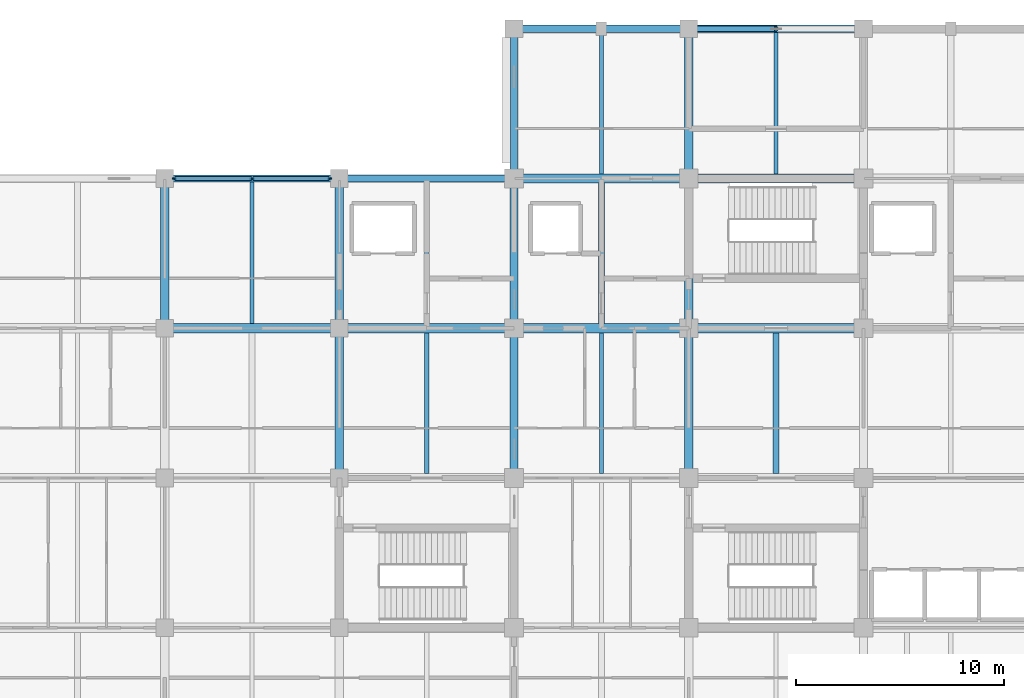
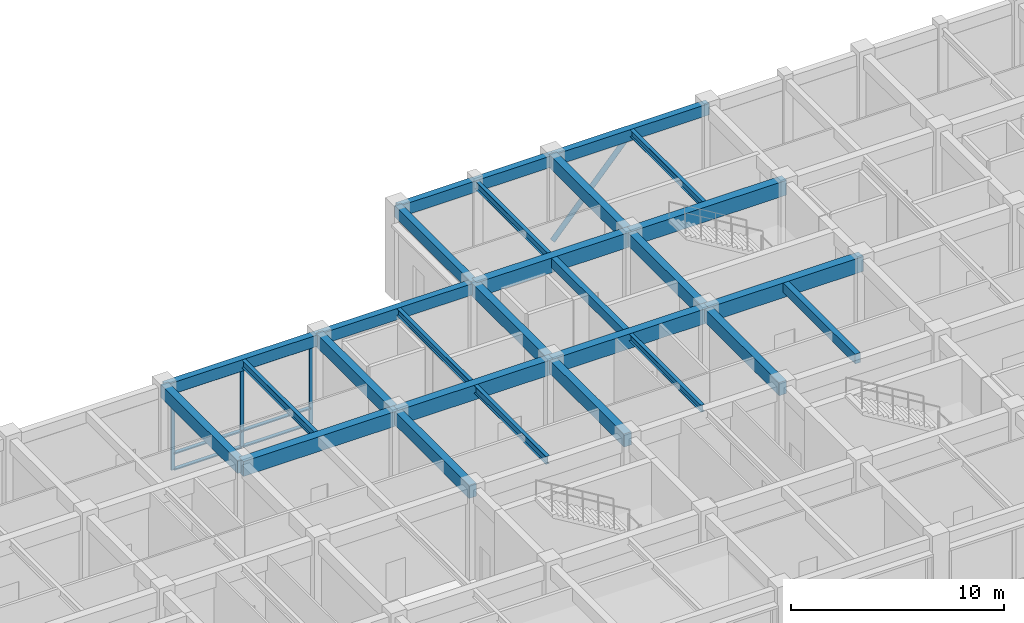
# One storey, part 6 of 51: 27 beams, 10 members, 1 element without a shape of its own.
"""IFC4 building model written with IfcOpenShell, lengths in metres."""

import ifcopenshell
import ifcopenshell.guid

model = None  # the IFC model being written
_history = None  # IfcOwnerHistory: only IFC2X3 demands one
_inside = {}  # id of a spatial element -> (the spatial element, [elements in it])
_under = {}  # id of a project, library or spatial element -> (it, [spatial elements below it])
_declared = {}  # id of a project -> (the project, [libraries it declares])
_typed = {}  # id of a type object -> (the type object, [elements of that type])
_made_of = {}  # id of a material, layer set ... -> (it, [elements and type objects made of it])


def new_model(schema):
    """Start an empty IFC model of exactly this schema.

    Asked for "IFC4X3", IfcOpenShell would pick the latest addendum, in which some entities
    have other attributes; the version numbers below select the first issue.
    IFC2X3 requires an IfcOwnerHistory on every rooted entity: one is made here for all.
    """
    global model, _history
    if schema == "IFC4X3":
        model = ifcopenshell.file(schema_version=(4, 3, 0, 0))
    else:
        model = ifcopenshell.file(schema=schema)
    _inside.clear()
    _under.clear()
    _declared.clear()
    _typed.clear()
    _made_of.clear()
    _history = None
    if model.schema == "IFC2X3":
        org = make("IfcOrganization", Name="unknown")
        user = make(
            "IfcPersonAndOrganization",
            ThePerson=make("IfcPerson", FamilyName="unknown"),
            TheOrganization=org,
        )
        app = make(
            "IfcApplication",
            ApplicationDeveloper=org,
            Version="unknown",
            ApplicationFullName="unknown",
            ApplicationIdentifier="unknown",
        )
        _history = make(
            "IfcOwnerHistory",
            OwningUser=user,
            OwningApplication=app,
            ChangeAction="ADDED",
            CreationDate=0,
        )
    return model


def make(cls, **values):
    """One entity of the class cls with the attributes given. An attribute that is None is left unset."""
    return model.create_entity(
        cls, **{name: value for name, value in values.items() if value is not None}
    )


def rooted(cls, **values):
    """An entity with a GlobalId (a new one), such as an element, a storey or a relation."""
    return make(cls, GlobalId=ifcopenshell.guid.new(), OwnerHistory=_history, **values)


def si_unit(unit_type, name, prefix=None):
    """IfcSIUnit, for example si_unit("LENGTHUNIT", "METRE", prefix="MILLI")."""
    return make("IfcSIUnit", UnitType=unit_type, Prefix=prefix, Name=name)


def assignment(units):
    """IfcUnitAssignment: the units of a project."""
    return None if units is None else make("IfcUnitAssignment", Units=units)


def point(xyz):
    """IfcCartesianPoint."""
    return None if xyz is None else make("IfcCartesianPoint", Coordinates=xyz)


def direction(xyz):
    """IfcDirection."""
    return None if xyz is None else make("IfcDirection", DirectionRatios=xyz)


def frame(location, z_axis=None, x_axis=None):
    """IfcAxis2Placement3D, a coordinate frame: its origin and axes. An axis left out is left unset."""
    return make(
        "IfcAxis2Placement3D",
        Location=point(location),
        Axis=direction(z_axis),
        RefDirection=direction(x_axis),
    )


def frame_2d(location, x_axis=None):
    """IfcAxis2Placement2D, a coordinate frame in the plane: its origin and x axis."""
    return make(
        "IfcAxis2Placement2D", Location=point(location), RefDirection=direction(x_axis)
    )


def origin():
    """The frame at (0, 0, 0) with its axes left unset."""
    return frame((0.0, 0.0, 0.0))


def origin_2d():
    """The frame at (0, 0) in the plane with its x axis left unset."""
    return frame_2d((0.0, 0.0))


def place(relative_to, where):
    """IfcLocalPlacement: puts the frame where relative to a parent placement (None: the world)."""
    return make(
        "IfcLocalPlacement", PlacementRelTo=relative_to, RelativePlacement=where
    )


def context(
    kind, dimensions, precision=None, world=None, true_north=None, identifier=None
):
    """IfcGeometricRepresentationContext, for example the 3D "Model" context."""
    return make(
        "IfcGeometricRepresentationContext",
        ContextIdentifier=identifier,
        ContextType=kind,
        CoordinateSpaceDimension=dimensions,
        Precision=precision,
        WorldCoordinateSystem=world,
        TrueNorth=true_north,
    )


def subcontext(parent, identifier, kind, view, scale=None):
    """IfcGeometricRepresentationSubContext, for example "Body" below "Model"."""
    return make(
        "IfcGeometricRepresentationSubContext",
        ContextIdentifier=identifier,
        ContextType=kind,
        ParentContext=parent,
        TargetScale=scale,
        TargetView=view,
    )


def project(units=None, contexts=None):
    """IfcProject with its units and contexts."""
    return rooted(
        "IfcProject",
        Name="project",
        RepresentationContexts=contexts,
        UnitsInContext=assignment(units),
    )


def spatial(cls, under=None, at=None, **own):
    """A site, building, storey or space (cls), placed at a placement, below another one or the project."""
    s = rooted(cls, ObjectPlacement=at, **own)
    if under is not None:
        _under.setdefault(under.id(), (under, []))[1].append(s)
    return s


def profile(cls, at=None, kind="AREA", **sizes):
    """A parametric profile (cls). Its sizes go by their IFC names, for example OverallWidth=200.0."""
    return make(cls, ProfileType=kind, Position=at, **sizes)


def rectangle(**sizes):
    """IfcRectangleProfileDef."""
    return profile("IfcRectangleProfileDef", **sizes)


def hollow_circle(**sizes):
    """IfcCircleHollowProfileDef."""
    return profile("IfcCircleHollowProfileDef", **sizes)


def i_section(**sizes):
    """IfcIShapeProfileDef."""
    return profile("IfcIShapeProfileDef", **sizes)


def extrude(swept, where, along, depth):
    """IfcExtrudedAreaSolid: the profile swept, set in the frame where, extruded along a direction by depth."""
    return make(
        "IfcExtrudedAreaSolid",
        SweptArea=swept,
        Position=where,
        ExtrudedDirection=direction(along),
        Depth=depth,
    )


def shape(context_of_items, identifier, shape_type, items):
    """IfcShapeRepresentation: the items that make up one representation, for example the "Body"."""
    return make(
        "IfcShapeRepresentation",
        ContextOfItems=context_of_items,
        RepresentationIdentifier=identifier,
        RepresentationType=shape_type,
        Items=items,
    )


def material(Name=None, Category=None):
    """IfcMaterial."""
    return make("IfcMaterial", Name=Name, Category=Category)


def layer(
    of_material, thickness, ventilated=None, Name=None, Category=None, Priority=None
):
    """IfcMaterialLayer: one layer of a wall or slab, of a material (None: an air gap)."""
    return make(
        "IfcMaterialLayer",
        Material=of_material,
        LayerThickness=thickness,
        IsVentilated=ventilated,
        Name=Name,
        Category=Category,
        Priority=Priority,
    )


def layer_set(layers, Name=None):
    """IfcMaterialLayerSet."""
    return make("IfcMaterialLayerSet", MaterialLayers=layers, LayerSetName=Name)


def material_profile(
    of_material, cross_section, Name=None, Category=None, Priority=None
):
    """IfcMaterialProfile: a cross section and its material."""
    return make(
        "IfcMaterialProfile",
        Name=Name,
        Material=of_material,
        Profile=cross_section,
        Priority=Priority,
        Category=Category,
    )


def profile_set(profiles, Name=None, composite=None):
    """IfcMaterialProfileSet."""
    return make(
        "IfcMaterialProfileSet",
        Name=Name,
        MaterialProfiles=profiles,
        CompositeProfile=composite,
    )


def made_of(thing, what):
    """Note that an element or type object is made of a material, layer set ...; save() writes the relation."""
    if what is not None:
        _made_of.setdefault(what.id(), (what, []))[1].append(thing)
    return thing


def type_object(cls, material=None, **own):
    """A type object (cls), such as IfcWallType, which elements share."""
    return made_of(rooted(cls, **own), material)


def element(
    cls,
    number,
    at=None,
    inside=None,
    cuts=None,
    type_object=None,
    material=None,
    context=None,
    identifier="Body",
    shape_type=None,
    held_by="IfcProductDefinitionShape",
    body=None,
    shapes=None,
    **own,
):
    """One element of the class cls, such as IfcWall. Its Tag is "e" and its number.

    at: its placement. inside: the storey or other place that contains it. cuts: it is an
    opening in that element (IfcRelVoidsElement). A single representation is given by context,
    identifier, shape_type and body (its items); several are given by shapes. held_by: the class
    of the entity that holds the representations. save() writes the other relations.
    """
    e = rooted(cls, Tag="e%d" % number, ObjectPlacement=at, **own)
    if body is not None:
        shapes = [shape(context, identifier, shape_type, body)]
    if shapes is not None:
        e.Representation = make(held_by, Representations=shapes)
    if inside is not None:
        _inside.setdefault(inside.id(), (inside, []))[1].append(e)
    if cuts is not None:
        rooted(
            "IfcRelVoidsElement", RelatingBuildingElement=cuts, RelatedOpeningElement=e
        )
    if type_object is not None:
        _typed.setdefault(type_object.id(), (type_object, []))[1].append(e)
    return made_of(e, material)


def aggregate(whole, parts):
    """IfcRelAggregates: a whole, such as a stair, and the parts it consists of."""
    return rooted("IfcRelAggregates", RelatingObject=whole, RelatedObjects=parts)


def save(model, path):
    """Write the relations noted so far, then the file.

    IfcRelAggregates (storeys below a building ...), IfcRelContainedInSpatialStructure (elements
    in a storey), IfcRelDefinesByType, IfcRelAssociatesMaterial and IfcRelDeclares: one each for
    every whole, place, type object, material and project.
    """
    for whole, parts in _under.values():
        aggregate(whole, parts)
    for where, things in _inside.values():
        rooted(
            "IfcRelContainedInSpatialStructure",
            RelatedElements=things,
            RelatingStructure=where,
        )
    for kind, things in _typed.values():
        rooted("IfcRelDefinesByType", RelatedObjects=things, RelatingType=kind)
    for what, things in _made_of.values():
        rooted("IfcRelAssociatesMaterial", RelatedObjects=things, RelatingMaterial=what)
    for by, libraries in _declared.values():
        rooted("IfcRelDeclares", RelatingContext=by, RelatedDefinitions=libraries)
    model.write(path)


model = new_model("IFC4")

# Units and contexts
model_context = context("Model", 3, precision=1e-05, world=origin(), true_north=direction((0.0, 1.0)))
body_context = subcontext(model_context, "Body", "Model", "MODEL_VIEW")
ifc_project = project(units=[si_unit("LENGTHUNIT", "METRE"), si_unit("AREAUNIT", "SQUARE_METRE"), si_unit("VOLUMEUNIT", "CUBIC_METRE"), si_unit("PLANEANGLEUNIT", "RADIAN"), si_unit("MASSUNIT", "GRAM", prefix="KILO")], contexts=[model_context])

# Site, building, storey
site_placement = place(None, origin())
site = spatial("IfcSite", under=ifc_project, at=site_placement, CompositionType="ELEMENT")
building_placement = place(site_placement, origin())
building = spatial("IfcBuilding", under=site, at=building_placement, Name="Chengyuan Square Courthouse", CompositionType="ELEMENT")
storey_placement = place(building_placement, frame((0.0, 0.0, 10.800048828125)))
storey = spatial("IfcBuildingStorey", under=building, at=storey_placement, Name="L03", CompositionType="ELEMENT", Elevation=10.800048828125)

# Beams
ifc_material_1 = material(Name="Concrete C40", Category="concrete")
ifc_material_profile_1 = material_profile(ifc_material_1, rectangle(XDim=0.449951171875, YDim=0.85009765625, at=origin_2d()), Name="RC-BM-450x850")
ifc_profile_set_1 = profile_set([ifc_material_profile_1], Name="Concrete C40")
beam_type_1 = type_object("IfcBeamType", Name="BM-01", PredefinedType="USERDEFINED", material=ifc_profile_set_1)
for number, where, z_axis, x_axis, name in (
    (1, (33.60009765625, 100.800048828125, 4.695068359375), (1.0, 0.0, 0.0), (0.0, 1.0, 0.0), "Girder BM-L03-2588"),
    (2, (42.0, 100.800048828125, 4.695068359375), (1.0, 0.0, 0.0), (0.0, 1.0, 0.0), "Girder BM-L03-2589"),
):
    element("IfcBeam", number, at=place(storey_placement, frame(where, z_axis=z_axis, x_axis=x_axis)), inside=storey, type_object=beam_type_1, Name=name, ObjectType="GIRDER", PredefinedType="USERDEFINED", context=body_context, shape_type="SweptSolid", body=[
        extrude(rectangle(XDim=0.449951171875, YDim=0.85009765625, at=origin_2d()), origin(), (0.0, 0.0, 1.0), 8.39990234375),
    ])
beam_1_placement = place(storey_placement, frame((50.39990234375, 100.800048828125, 4.695068359375), z_axis=(1.0, 0.0, 0.0), x_axis=(0.0, 1.0, 0.0)))
element("IfcBeam", 3, at=beam_1_placement, inside=storey, type_object=beam_type_1, Name="Girder BM-L03-2590", ObjectType="GIRDER", PredefinedType="USERDEFINED", context=body_context, shape_type="SweptSolid", body=[
    extrude(rectangle(XDim=0.449951171875, YDim=0.85009765625, at=origin_2d()), origin(), (0.0, 0.0, 1.0), 8.400146484375),
])
beam_2_placement = place(storey_placement, frame((58.800048828125, 100.800048828125, 4.695068359375), z_axis=(1.0, 0.0, 0.0), x_axis=(0.0, 1.0, 0.0)))
element("IfcBeam", 4, at=beam_2_placement, inside=storey, type_object=beam_type_1, Name="Girder BM-L03-2591", ObjectType="GIRDER", PredefinedType="USERDEFINED", context=body_context, shape_type="SweptSolid", body=[
    extrude(rectangle(XDim=0.449951171875, YDim=0.85009765625, at=origin_2d()), origin(), (0.0, 0.0, 1.0), 8.39990234375),
])
beam_3_placement = place(storey_placement, frame((50.39990234375, 108.0, 4.695068359375), z_axis=(1.0, 0.0, 0.0), x_axis=(0.0, 1.0, 0.0)))
element("IfcBeam", 5, at=beam_3_placement, inside=storey, type_object=beam_type_1, Name="Girder BM-L03-2610", ObjectType="GIRDER", PredefinedType="USERDEFINED", context=body_context, shape_type="SweptSolid", body=[
    extrude(rectangle(XDim=0.449951171875, YDim=0.85009765625, at=origin_2d()), origin(), (0.0, 0.0, 1.0), 8.400146484375),
])
beam_4_placement = place(storey_placement, frame((58.800048828125, 108.0, 4.695068359375), z_axis=(1.0, 0.0, 0.0), x_axis=(0.0, 1.0, 0.0)))
element("IfcBeam", 6, at=beam_4_placement, inside=storey, type_object=beam_type_1, Name="Girder BM-L03-2611", ObjectType="GIRDER", PredefinedType="USERDEFINED", context=body_context, shape_type="SweptSolid", body=[
    extrude(rectangle(XDim=0.449951171875, YDim=0.85009765625, at=origin_2d()), origin(), (0.0, 0.0, 1.0), 8.39990234375),
])
ifc_material_profile_2 = material_profile(ifc_material_1, rectangle(XDim=0.39990234375, YDim=0.75, at=origin_2d()), Name="RC-BM-400x750")
ifc_profile_set_2 = profile_set([ifc_material_profile_2], Name="Concrete C40")
beam_type_2 = type_object("IfcBeamType", Name="BM-02", PredefinedType="USERDEFINED", material=ifc_profile_set_2)
for number, where, z_axis, x_axis, name in (
    (7, (33.60009765625, 100.800048828125, 4.744873046875), (0.0, 1.0, 0.0), (-1.0, 0.0, 0.0), "Girder BM-L03-2663"),
    (8, (42.0, 93.60009765625, 4.744873046875), (0.0, 1.0, 0.0), (-1.0, 0.0, 0.0), "Girder BM-L03-2666"),
    (9, (42.0, 100.800048828125, 4.744873046875), (0.0, 1.0, 0.0), (-1.0, 0.0, 0.0), "Girder BM-L03-2667"),
    (10, (50.39990234375, 93.60009765625, 4.744873046875), (0.0, 1.0, 0.0), (-1.0, 0.0, 0.0), "Girder BM-L03-2670"),
    (11, (50.39990234375, 100.800048828125, 4.744873046875), (0.0, 1.0, 0.0), (-1.0, 0.0, 0.0), "Girder BM-L03-2671"),
    (12, (58.800048828125, 93.60009765625, 4.744873046875), (0.0, 1.0, 0.0), (-1.0, 0.0, 0.0), "Girder BM-L03-2675"),
    (13, (58.800048828125, 100.800048828125, 4.744873046875), (0.0, 1.0, 0.0), (-1.0, 0.0, 0.0), "Girder BM-L03-2676"),
    (14, (58.800048828125, 108.0, 4.744873046875), (0.0, 1.0, 0.0), (-1.0, 0.0, 0.0), "Girder BM-L03-2677"),
):
    element("IfcBeam", number, at=place(storey_placement, frame(where, z_axis=z_axis, x_axis=x_axis)), inside=storey, type_object=beam_type_2, Name=name, ObjectType="GIRDER", PredefinedType="USERDEFINED", context=body_context, shape_type="SweptSolid", body=[
        extrude(rectangle(XDim=0.39990234375, YDim=0.75, at=origin_2d()), origin(), (0.0, 0.0, 1.0), 7.199951171875),
    ])
ifc_material_profile_3 = material_profile(ifc_material_1, rectangle(XDim=0.35009765625, YDim=0.64990234375, at=origin_2d()), Name="RC-BM-350x650")
ifc_profile_set_3 = profile_set([ifc_material_profile_3], Name="Concrete C40")
beam_type_3 = type_object("IfcBeamType", Name="BM-03", PredefinedType="SPANDREL", material=ifc_profile_set_3)
for number, where, z_axis, x_axis, name in (
    (15, (33.60009765625, 108.0, 4.794921875), (1.0, 0.0, 0.0), (0.0, 1.0, 0.0), "Girder BM-L03-2608"),
    (16, (42.0, 108.0, 4.794921875), (1.0, 0.0, 0.0), (0.0, 1.0, 0.0), "Girder BM-L03-2609"),
):
    element("IfcBeam", number, at=place(storey_placement, frame(where, z_axis=z_axis, x_axis=x_axis)), inside=storey, type_object=beam_type_3, Name=name, PredefinedType="SPANDREL", context=body_context, shape_type="SweptSolid", body=[
        extrude(rectangle(XDim=0.35009765625, YDim=0.64990234375, at=origin_2d()), origin(), (0.0, 0.0, 1.0), 8.39990234375),
    ])
beam_5_placement = place(storey_placement, frame((50.39990234375, 115.199951171875, 4.794921875), z_axis=(1.0, 0.0, 0.0), x_axis=(0.0, 1.0, 0.0)))
element("IfcBeam", 17, at=beam_5_placement, inside=storey, type_object=beam_type_3, Name="Girder BM-L03-2624", PredefinedType="SPANDREL", context=body_context, shape_type="SweptSolid", body=[
    extrude(rectangle(XDim=0.35009765625, YDim=0.64990234375, at=origin_2d()), origin(), (0.0, 0.0, 1.0), 8.400146484375),
])
beam_6_placement = place(storey_placement, frame((58.800048828125, 115.199951171875, 4.794921875), z_axis=(1.0, 0.0, 0.0), x_axis=(0.0, 1.0, 0.0)))
element("IfcBeam", 18, at=beam_6_placement, inside=storey, type_object=beam_type_3, Name="Girder BM-L03-2625", PredefinedType="SPANDREL", context=body_context, shape_type="SweptSolid", body=[
    extrude(rectangle(XDim=0.35009765625, YDim=0.64990234375, at=origin_2d()), origin(), (0.0, 0.0, 1.0), 8.39990234375),
])
beam_7_placement = place(storey_placement, frame((50.39990234375, 108.0, 4.794921875), z_axis=(0.0, 1.0, 0.0), x_axis=(-1.0, 0.0, 0.0)))
element("IfcBeam", 19, at=beam_7_placement, inside=storey, type_object=beam_type_3, Name="Girder BM-L03-2672", PredefinedType="SPANDREL", context=body_context, shape_type="SweptSolid", body=[
    extrude(rectangle(XDim=0.35009765625, YDim=0.64990234375, at=origin_2d()), origin(), (0.0, 0.0, 1.0), 7.199951171875),
])
ifc_material_profile_4 = material_profile(ifc_material_1, rectangle(XDim=0.300048828125, YDim=0.550048828125, at=origin_2d()), Name="RC-BM-300x550")
ifc_profile_set_4 = profile_set([ifc_material_profile_4], Name="Concrete C40")
beam_type_4 = type_object("IfcBeamType", Name="BM-04", PredefinedType="BEAM", material=ifc_profile_set_4)
for number, where, z_axis, x_axis, name in (
    (20, (54.60009765625, 101.02490234375, 4.844970703125), (0.0, 1.0, 0.0), (-1.0, 0.0, 0.0), "Secondary Floor Beam SBM-L03-2785"),
    (21, (63.0, 93.824951171875, 4.844970703125), (0.0, 1.0, 0.0), (-1.0, 0.0, 0.0), "Secondary Floor Beam SBM-L03-2788"),
):
    element("IfcBeam", number, at=place(storey_placement, frame(where, z_axis=z_axis, x_axis=x_axis)), inside=storey, type_object=beam_type_4, Name=name, PredefinedType="BEAM", context=body_context, shape_type="SweptSolid", body=[
        extrude(rectangle(XDim=0.300048828125, YDim=0.550048828125, at=origin_2d()), origin(), (0.0, 0.0, 1.0), 6.75),
    ])
ifc_material_2 = material(Name="Steel Q355B", Category="steel")
ifc_material_profile_5 = material_profile(ifc_material_2, i_section(OverallWidth=0.199951171875, OverallDepth=0.449951171875, WebThickness=0.009033203125, FlangeThickness=0.013916015625, at=origin_2d()), Name="HN 450x200x9x14")
ifc_profile_set_5 = profile_set([ifc_material_profile_5], Name="Steel Q355B")
beam_type_5 = type_object("IfcBeamType", Name="BM-06", PredefinedType="BEAM", material=ifc_profile_set_5)
beam_8_placement = place(storey_placement, frame((37.800048828125, 101.02490234375, 4.89501953125), z_axis=(0.0, 1.0, 0.0), x_axis=(-1.0, 0.0, 0.0)))
element("IfcBeam", 22, at=beam_8_placement, inside=storey, type_object=beam_type_5, Name="Secondary Floor Beam SBM-L03-2778", PredefinedType="BEAM", context=body_context, shape_type="SweptSolid", body=[
    extrude(i_section(OverallWidth=0.199951171875, OverallDepth=0.449951171875, WebThickness=0.009033203125, FlangeThickness=0.013916015625, at=origin_2d()), origin(), (0.0, 0.0, 1.0), 6.800048828125),
])
beam_9_placement = place(storey_placement, frame((46.199951171875, 93.824951171875, 4.89501953125), z_axis=(0.0, 1.0, 0.0), x_axis=(-1.0, 0.0, 0.0)))
element("IfcBeam", 23, at=beam_9_placement, inside=storey, type_object=beam_type_5, Name="Secondary Floor Beam SBM-L03-2780", PredefinedType="BEAM", context=body_context, shape_type="SweptSolid", body=[
    extrude(i_section(OverallWidth=0.199951171875, OverallDepth=0.449951171875, WebThickness=0.009033203125, FlangeThickness=0.013916015625, at=origin_2d()), origin(), (0.0, 0.0, 1.0), 6.75),
])
beam_10_placement = place(storey_placement, frame((54.60009765625, 108.22509765625, 4.89501953125), z_axis=(0.0, 1.0, 0.0), x_axis=(-1.0, 0.0, 0.0)))
element("IfcBeam", 24, at=beam_10_placement, inside=storey, type_object=beam_type_5, Name="Secondary Floor Beam SBM-L03-2786", PredefinedType="BEAM", context=body_context, shape_type="SweptSolid", body=[
    extrude(i_section(OverallWidth=0.199951171875, OverallDepth=0.449951171875, WebThickness=0.009033203125, FlangeThickness=0.013916015625, at=origin_2d()), origin(), (0.0, 0.0, 1.0), 6.7998046875),
])
ifc_material_profile_6 = material_profile(ifc_material_2, i_section(OverallWidth=0.199951171875, OverallDepth=0.39990234375, WebThickness=0.008056640625, FlangeThickness=0.012939453125, at=origin_2d()), Name="HN 400x200x8x13")
ifc_profile_set_6 = profile_set([ifc_material_profile_6], Name="Steel Q355B")
beam_type_6 = type_object("IfcBeamType", Name="BM-07", PredefinedType="BEAM", material=ifc_profile_set_6)
beam_11_placement = place(storey_placement, frame((46.199951171875, 101.02490234375, 4.919921875), z_axis=(0.0, 1.0, 0.0), x_axis=(-1.0, 0.0, 0.0)))
element("IfcBeam", 25, at=beam_11_placement, inside=storey, type_object=beam_type_6, Name="Secondary Floor Beam SBM-L03-2781", PredefinedType="BEAM", context=body_context, shape_type="SweptSolid", body=[
    extrude(i_section(OverallWidth=0.199951171875, OverallDepth=0.39990234375, WebThickness=0.008056640625, FlangeThickness=0.012939453125, at=origin_2d()), origin(), (0.0, 0.0, 1.0), 6.800048828125),
])
beam_12_placement = place(storey_placement, frame((54.60009765625, 93.824951171875, 4.919921875), z_axis=(0.0, 1.0, 0.0), x_axis=(-1.0, 0.0, 0.0)))
element("IfcBeam", 26, at=beam_12_placement, inside=storey, type_object=beam_type_6, Name="Secondary Floor Beam SBM-L03-2784", PredefinedType="BEAM", context=body_context, shape_type="SweptSolid", body=[
    extrude(i_section(OverallWidth=0.199951171875, OverallDepth=0.39990234375, WebThickness=0.008056640625, FlangeThickness=0.012939453125, at=origin_2d()), origin(), (0.0, 0.0, 1.0), 6.75),
])
beam_13_placement = place(storey_placement, frame((63.0, 108.22509765625, 4.919921875), z_axis=(0.0, 1.0, 0.0), x_axis=(-1.0, 0.0, 0.0)))
element("IfcBeam", 27, at=beam_13_placement, inside=storey, type_object=beam_type_6, Name="Secondary Floor Beam SBM-L03-2789", PredefinedType="BEAM", context=body_context, shape_type="SweptSolid", body=[
    extrude(i_section(OverallWidth=0.199951171875, OverallDepth=0.39990234375, WebThickness=0.008056640625, FlangeThickness=0.012939453125, at=origin_2d()), origin(), (0.0, 0.0, 1.0), 6.7998046875),
])

# Member
ifc_material_profile_7 = material_profile(ifc_material_2, hollow_circle(Radius=0.136474609375, WallThickness=0.010009765625, at=origin_2d()), Name="CHS 273x10")
ifc_profile_set_7 = profile_set([ifc_material_profile_7], Name="Steel Q355B")
member_type_1 = type_object("IfcMemberType", Name="BR-01", PredefinedType="BRACE", material=ifc_profile_set_7)
member_1_placement = place(storey_placement, frame((58.800048828125, 115.199951171875, 0.099853515625), z_axis=(0.668683358242, 0.0, 0.743547285928), x_axis=(0.0, 1.0, 0.0)))
element("IfcMember", 28, at=member_1_placement, inside=storey, type_object=member_type_1, Name="Steel Chevron Brace BR-L03-009", PredefinedType="BRACE", context=body_context, shape_type="SweptSolid", body=[
    extrude(hollow_circle(Radius=0.136474609375, WallThickness=0.010009765625, at=origin_2d()), origin(), (0.0, 0.0, 1.0), 6.281005859375),
])

# Curtain wall, members
ifc_material_3 = material(Name="Unitised Aluminium and Triple Low-E Glass", Category="aluminium")
ifc_layer = layer(ifc_material_3, 0.199951171875)
ifc_layer_set = layer_set([ifc_layer], Name="Unitised Aluminium and Triple Low-E Glass")
curtain_wall_type = type_object("IfcCurtainWallType", Name="CW-07", PredefinedType="USERDEFINED", material=ifc_layer_set)
curtain_wall_placement = place(storey_placement, origin())
curtain_wall = element("IfcCurtainWall", 29, at=curtain_wall_placement, inside=storey, type_object=curtain_wall_type, Name="Unitised Curtain Wall CW-L03-101", ObjectType="UNITISED CURTAIN WALL", PredefinedType="USERDEFINED")
ifc_material_4 = material(Name="Aluminium 6063-T6 Frame", Category="aluminium")
ifc_material_profile_8 = material_profile(ifc_material_4, rectangle(XDim=0.070068359375, YDim=0.199951171875, at=origin_2d()), Name="CW-MUL-70x200")
ifc_profile_set_8 = profile_set([ifc_material_profile_8], Name="Aluminium 6063-T6 Frame")
member_type_2 = type_object("IfcMemberType", Name="CWM-03", PredefinedType="MULLION", material=ifc_profile_set_8)
member_2_placement = place(storey_placement, frame((34.06005859375, 108.0, 0.0), z_axis=(0.0, 0.0, 1.0), x_axis=(0.0, 1.0, 0.0)))
member_2 = element("IfcMember", 30, at=member_2_placement, type_object=member_type_2, Name="CW-07 mullion 1", PredefinedType="MULLION", context=body_context, shape_type="SweptSolid", body=[
    extrude(rectangle(XDim=0.070068359375, YDim=0.199951171875, at=origin_2d()), origin(), (0.0, 0.0, 1.0), 4.469970703125),
])
member_3_placement = place(storey_placement, frame((37.800048828125, 108.0, 0.0), z_axis=(0.0, 0.0, 1.0), x_axis=(0.0, 1.0, 0.0)))
member_3 = element("IfcMember", 31, at=member_3_placement, type_object=member_type_2, Name="CW-07 mullion 2", PredefinedType="MULLION", context=body_context, shape_type="SweptSolid", body=[
    extrude(rectangle(XDim=0.070068359375, YDim=0.199951171875, at=origin_2d()), origin(), (0.0, 0.0, 1.0), 4.469970703125),
])
member_4_placement = place(storey_placement, frame((41.5400390625, 108.0, 0.0), z_axis=(0.0, 0.0, 1.0), x_axis=(0.0, 1.0, 0.0)))
member_4 = element("IfcMember", 32, at=member_4_placement, type_object=member_type_2, Name="CW-07 mullion 3", PredefinedType="MULLION", context=body_context, shape_type="SweptSolid", body=[
    extrude(rectangle(XDim=0.070068359375, YDim=0.199951171875, at=origin_2d()), origin(), (0.0, 0.0, 1.0), 4.469970703125),
])
ifc_material_profile_9 = material_profile(ifc_material_4, rectangle(XDim=0.199951171875, YDim=0.070068359375, at=origin_2d()), Name="CW-TRN-70x160")
ifc_profile_set_9 = profile_set([ifc_material_profile_9], Name="Aluminium 6063-T6 Frame")
member_type_3 = type_object("IfcMemberType", Name="CWT-03", PredefinedType="USERDEFINED", material=ifc_profile_set_9)
member_5_placement = place(storey_placement, frame((34.094970703125, 108.0, 0.034912109375), z_axis=(1.0, 0.0, 0.0), x_axis=(0.0, 1.0, 0.0)))
member_5 = element("IfcMember", 33, at=member_5_placement, type_object=member_type_3, Name="CW-07 transom 1.1", ObjectType="TRANSOM", PredefinedType="USERDEFINED", context=body_context, shape_type="SweptSolid", body=[
    extrude(rectangle(XDim=0.199951171875, YDim=0.070068359375, at=origin_2d()), origin(), (0.0, 0.0, 1.0), 3.669921875),
])
member_6_placement = place(storey_placement, frame((34.094970703125, 108.0, 0.949951171875), z_axis=(1.0, 0.0, 0.0), x_axis=(0.0, 1.0, 0.0)))
member_6 = element("IfcMember", 34, at=member_6_placement, type_object=member_type_3, Name="CW-07 transom 1.2", ObjectType="TRANSOM", PredefinedType="USERDEFINED", context=body_context, shape_type="SweptSolid", body=[
    extrude(rectangle(XDim=0.199951171875, YDim=0.070068359375, at=origin_2d()), origin(), (0.0, 0.0, 1.0), 3.669921875),
])
member_7_placement = place(storey_placement, frame((34.094970703125, 108.0, 4.43505859375), z_axis=(1.0, 0.0, 0.0), x_axis=(0.0, 1.0, 0.0)))
member_7 = element("IfcMember", 35, at=member_7_placement, type_object=member_type_3, Name="CW-07 transom 1.3", ObjectType="TRANSOM", PredefinedType="USERDEFINED", context=body_context, shape_type="SweptSolid", body=[
    extrude(rectangle(XDim=0.199951171875, YDim=0.070068359375, at=origin_2d()), origin(), (0.0, 0.0, 1.0), 3.669921875),
])
member_8_placement = place(storey_placement, frame((37.8349609375, 108.0, 0.034912109375), z_axis=(1.0, 0.0, 0.0), x_axis=(0.0, 1.0, 0.0)))
member_8 = element("IfcMember", 36, at=member_8_placement, type_object=member_type_3, Name="CW-07 transom 2.1", ObjectType="TRANSOM", PredefinedType="USERDEFINED", context=body_context, shape_type="SweptSolid", body=[
    extrude(rectangle(XDim=0.199951171875, YDim=0.070068359375, at=origin_2d()), origin(), (0.0, 0.0, 1.0), 3.669921875),
])
member_9_placement = place(storey_placement, frame((37.8349609375, 108.0, 0.949951171875), z_axis=(1.0, 0.0, 0.0), x_axis=(0.0, 1.0, 0.0)))
member_9 = element("IfcMember", 37, at=member_9_placement, type_object=member_type_3, Name="CW-07 transom 2.2", ObjectType="TRANSOM", PredefinedType="USERDEFINED", context=body_context, shape_type="SweptSolid", body=[
    extrude(rectangle(XDim=0.199951171875, YDim=0.070068359375, at=origin_2d()), origin(), (0.0, 0.0, 1.0), 3.669921875),
])
member_10_placement = place(storey_placement, frame((37.8349609375, 108.0, 4.43505859375), z_axis=(1.0, 0.0, 0.0), x_axis=(0.0, 1.0, 0.0)))
member_10 = element("IfcMember", 38, at=member_10_placement, type_object=member_type_3, Name="CW-07 transom 2.3", ObjectType="TRANSOM", PredefinedType="USERDEFINED", context=body_context, shape_type="SweptSolid", body=[
    extrude(rectangle(XDim=0.199951171875, YDim=0.070068359375, at=origin_2d()), origin(), (0.0, 0.0, 1.0), 3.669921875),
])
aggregate(curtain_wall, [member_2, member_3, member_4, member_5, member_6, member_7, member_8, member_9, member_10])

save(model, "model.ifc")
